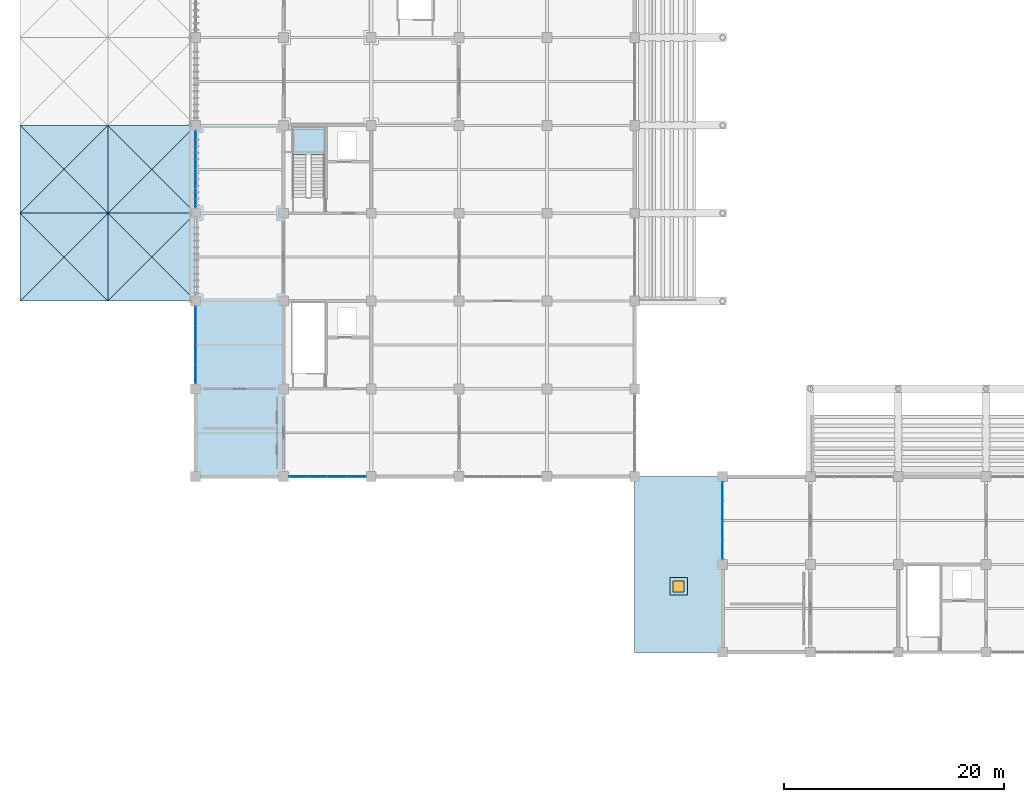
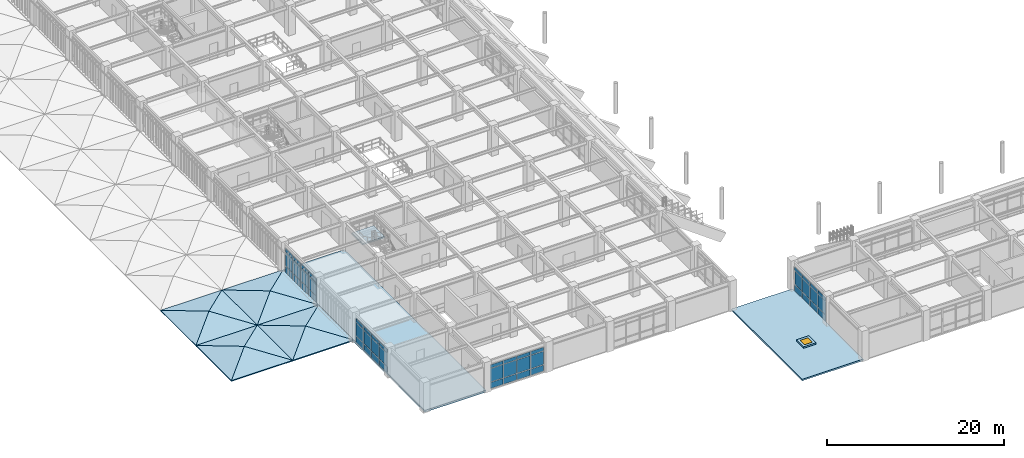
# One storey, part 64 of 118: 48 plates, 20 slabs, 1 door, 1 opening, 5 elements without a shape of their own.
"""IFC4 building model written with IfcOpenShell, lengths in metres."""

from ifc_helpers import new_model, si_unit, direction, frame, origin, origin_2d, place, context, subcontext, project, spatial, polyline, rectangle, outline, extrude, material, layer, layer_set, type_object, element, fill, aggregate, save


model = new_model("IFC4")

# Units and contexts
model_context = context("Model", 3, precision=1e-05, world=origin(), true_north=direction((0.0, 1.0)))
body_context = subcontext(model_context, "Body", "Model", "MODEL_VIEW")
ifc_project = project(units=[si_unit("LENGTHUNIT", "METRE"), si_unit("AREAUNIT", "SQUARE_METRE"), si_unit("VOLUMEUNIT", "CUBIC_METRE"), si_unit("PLANEANGLEUNIT", "RADIAN"), si_unit("MASSUNIT", "GRAM", prefix="KILO")], contexts=[model_context])

# Site, building, storey
site_placement = place(None, origin())
site = spatial("IfcSite", under=ifc_project, at=site_placement, CompositionType="ELEMENT")
building_placement = place(site_placement, origin())
building = spatial("IfcBuilding", under=site, at=building_placement, Name="Haebicheon Civic Stadium", CompositionType="ELEMENT")
storey_placement = place(building_placement, frame((0.0, 0.0, 14.39990234375)))
storey = spatial("IfcBuildingStorey", under=building, at=storey_placement, Name="L04", CompositionType="ELEMENT", Elevation=14.39990234375)

# Curtain wall, plates
ifc_material_1 = material(Name="Anodised aluminium and laminated glass", Category="aluminium")
ifc_layer_1 = layer(ifc_material_1, 0.179931640625, Name="Anodised aluminium and laminated glass")
ifc_layer_set_1 = layer_set([ifc_layer_1], Name="Anodised aluminium and laminated glass")
curtain_wall_type_1 = type_object("IfcCurtainWallType", Name="CW-7100x3330", PredefinedType="NOTDEFINED", material=ifc_layer_set_1)
curtain_wall_1_placement = place(storey_placement, origin())
curtain_wall_1 = element("IfcCurtainWall", 1, at=curtain_wall_1_placement, inside=storey, type_object=curtain_wall_type_1, material=ifc_layer_set_1, Name="L04 unitised curtain wall 105", PredefinedType="NOTDEFINED")
ifc_material_2 = material(Name="Double low-e acoustic laminated glass", Category="glass")
ifc_layer_2 = layer(ifc_material_2, 0.035888671875, Name="Double low-e acoustic laminated glass")
ifc_layer_set_2 = layer_set([ifc_layer_2], Name="Double low-e acoustic laminated glass")
plate_type_1 = type_object("IfcPlateType", Name="CWP-GLZ-36", PredefinedType="CURTAIN_PANEL", material=ifc_layer_set_2)
plate_1_placement = place(storey_placement, frame((24.0, 41.35498046875, 0.93505859375), z_axis=(0.0, 0.0, 1.0), x_axis=(0.0, 1.0, 0.0)))
plate_1 = element("IfcPlate", 2, at=plate_1_placement, type_object=plate_type_1, material=ifc_layer_set_2, Name="CW-L04-105 vision panel 1.2", PredefinedType="CURTAIN_PANEL", context=body_context, shape_type="SweptSolid", body=[
    extrude(rectangle(XDim=1.669921875, YDim=0.035888671875, at=origin_2d()), origin(), (0.0, 0.0, 1.0), 1.81005859375),
])
plate_2_placement = place(storey_placement, frame((24.0, 43.112060546875, 0.93505859375), z_axis=(0.0, 0.0, 1.0), x_axis=(0.0, 1.0, 0.0)))
plate_2 = element("IfcPlate", 3, at=plate_2_placement, type_object=plate_type_1, material=ifc_layer_set_2, Name="CW-L04-105 vision panel 2.2", PredefinedType="CURTAIN_PANEL", context=body_context, shape_type="SweptSolid", body=[
    extrude(rectangle(XDim=1.705078125, YDim=0.035888671875, at=origin_2d()), origin(), (0.0, 0.0, 1.0), 1.81005859375),
])
plate_3_placement = place(storey_placement, frame((24.0, 44.887939453125, 0.93505859375), z_axis=(0.0, 0.0, 1.0), x_axis=(0.0, 1.0, 0.0)))
plate_3 = element("IfcPlate", 4, at=plate_3_placement, type_object=plate_type_1, material=ifc_layer_set_2, Name="CW-L04-105 vision panel 3.2", PredefinedType="CURTAIN_PANEL", context=body_context, shape_type="SweptSolid", body=[
    extrude(rectangle(XDim=1.705078125, YDim=0.035888671875, at=origin_2d()), origin(), (0.0, 0.0, 1.0), 1.81005859375),
])
plate_4_placement = place(storey_placement, frame((24.0, 46.64501953125, 0.93505859375), z_axis=(0.0, 0.0, 1.0), x_axis=(0.0, 1.0, 0.0)))
plate_4 = element("IfcPlate", 5, at=plate_4_placement, type_object=plate_type_1, material=ifc_layer_set_2, Name="CW-L04-105 vision panel 4.2", PredefinedType="CURTAIN_PANEL", context=body_context, shape_type="SweptSolid", body=[
    extrude(rectangle(XDim=1.669921875, YDim=0.035888671875, at=origin_2d()), origin(), (0.0, 0.0, 1.0), 1.81005859375),
])

curtain_wall_2_placement = place(storey_placement, origin())
curtain_wall_2 = element("IfcCurtainWall", 6, at=curtain_wall_2_placement, inside=storey, type_object=curtain_wall_type_1, material=ifc_layer_set_1, Name="L04 unitised curtain wall 106", PredefinedType="NOTDEFINED")
plate_5_placement = place(storey_placement, frame((24.0, 57.35498046875, 0.93505859375), z_axis=(0.0, 0.0, 1.0), x_axis=(0.0, 1.0, 0.0)))
plate_5 = element("IfcPlate", 7, at=plate_5_placement, type_object=plate_type_1, material=ifc_layer_set_2, Name="CW-L04-106 vision panel 1.2", PredefinedType="CURTAIN_PANEL", context=body_context, shape_type="SweptSolid", body=[
    extrude(rectangle(XDim=1.669921875, YDim=0.035888671875, at=origin_2d()), origin(), (0.0, 0.0, 1.0), 1.81005859375),
])
plate_6_placement = place(storey_placement, frame((24.0, 59.112060546875, 0.93505859375), z_axis=(0.0, 0.0, 1.0), x_axis=(0.0, 1.0, 0.0)))
plate_6 = element("IfcPlate", 8, at=plate_6_placement, type_object=plate_type_1, material=ifc_layer_set_2, Name="CW-L04-106 vision panel 2.2", PredefinedType="CURTAIN_PANEL", context=body_context, shape_type="SweptSolid", body=[
    extrude(rectangle(XDim=1.705078125, YDim=0.035888671875, at=origin_2d()), origin(), (0.0, 0.0, 1.0), 1.81005859375),
])
plate_7_placement = place(storey_placement, frame((24.0, 60.887939453125, 0.93505859375), z_axis=(0.0, 0.0, 1.0), x_axis=(0.0, 1.0, 0.0)))
plate_7 = element("IfcPlate", 9, at=plate_7_placement, type_object=plate_type_1, material=ifc_layer_set_2, Name="CW-L04-106 vision panel 3.2", PredefinedType="CURTAIN_PANEL", context=body_context, shape_type="SweptSolid", body=[
    extrude(rectangle(XDim=1.705078125, YDim=0.035888671875, at=origin_2d()), origin(), (0.0, 0.0, 1.0), 1.81005859375),
])
plate_8_placement = place(storey_placement, frame((24.0, 62.64501953125, 0.93505859375), z_axis=(0.0, 0.0, 1.0), x_axis=(0.0, 1.0, 0.0)))
plate_8 = element("IfcPlate", 10, at=plate_8_placement, type_object=plate_type_1, material=ifc_layer_set_2, Name="CW-L04-106 vision panel 4.2", PredefinedType="CURTAIN_PANEL", context=body_context, shape_type="SweptSolid", body=[
    extrude(rectangle(XDim=1.669921875, YDim=0.035888671875, at=origin_2d()), origin(), (0.0, 0.0, 1.0), 1.81005859375),
])

ifc_material_3 = material(Name="Anodised aluminium and laminated glass", Category="aluminium")
ifc_layer_3 = layer(ifc_material_3, 0.179931640625, Name="Anodised aluminium and laminated glass")
ifc_layer_set_3 = layer_set([ifc_layer_3], Name="Anodised aluminium and laminated glass")
curtain_wall_type_2 = type_object("IfcCurtainWallType", Name="CW-7100x3350", PredefinedType="NOTDEFINED", material=ifc_layer_set_3)
curtain_wall_3_placement = place(storey_placement, origin())
curtain_wall_3 = element("IfcCurtainWall", 11, at=curtain_wall_3_placement, inside=storey, type_object=curtain_wall_type_2, material=ifc_layer_set_3, Name="L04 unitised curtain wall 113", PredefinedType="NOTDEFINED")
plate_9_placement = place(storey_placement, frame((33.35498046875, 32.0, 0.93505859375), z_axis=(0.0, 0.0, 1.0), x_axis=(1.0, 0.0, 0.0)))
plate_9 = element("IfcPlate", 12, at=plate_9_placement, type_object=plate_type_1, material=ifc_layer_set_2, Name="CW-L04-113 vision panel 1.2", PredefinedType="CURTAIN_PANEL", context=body_context, shape_type="SweptSolid", body=[
    extrude(rectangle(XDim=1.669921875, YDim=0.035888671875, at=origin_2d()), origin(), (0.0, 0.0, 1.0), 1.830078125),
])
plate_10_placement = place(storey_placement, frame((35.112060546875, 32.0, 0.93505859375), z_axis=(0.0, 0.0, 1.0), x_axis=(1.0, 0.0, 0.0)))
plate_10 = element("IfcPlate", 13, at=plate_10_placement, type_object=plate_type_1, material=ifc_layer_set_2, Name="CW-L04-113 vision panel 2.2", PredefinedType="CURTAIN_PANEL", context=body_context, shape_type="SweptSolid", body=[
    extrude(rectangle(XDim=1.705078125, YDim=0.035888671875, at=origin_2d()), origin(), (0.0, 0.0, 1.0), 1.830078125),
])
plate_11_placement = place(storey_placement, frame((36.887939453125, 32.0, 0.93505859375), z_axis=(0.0, 0.0, 1.0), x_axis=(1.0, 0.0, 0.0)))
plate_11 = element("IfcPlate", 14, at=plate_11_placement, type_object=plate_type_1, material=ifc_layer_set_2, Name="CW-L04-113 vision panel 3.2", PredefinedType="CURTAIN_PANEL", context=body_context, shape_type="SweptSolid", body=[
    extrude(rectangle(XDim=1.705078125, YDim=0.035888671875, at=origin_2d()), origin(), (0.0, 0.0, 1.0), 1.830078125),
])
plate_12_placement = place(storey_placement, frame((38.64501953125, 32.0, 0.93505859375), z_axis=(0.0, 0.0, 1.0), x_axis=(1.0, 0.0, 0.0)))
plate_12 = element("IfcPlate", 15, at=plate_12_placement, type_object=plate_type_1, material=ifc_layer_set_2, Name="CW-L04-113 vision panel 4.2", PredefinedType="CURTAIN_PANEL", context=body_context, shape_type="SweptSolid", body=[
    extrude(rectangle(XDim=1.669921875, YDim=0.035888671875, at=origin_2d()), origin(), (0.0, 0.0, 1.0), 1.830078125),
])

curtain_wall_4_placement = place(storey_placement, origin())
curtain_wall_4 = element("IfcCurtainWall", 16, at=curtain_wall_4_placement, inside=storey, type_object=curtain_wall_type_2, material=ifc_layer_set_3, Name="L04 unitised curtain wall 125", PredefinedType="NOTDEFINED")
plate_13_placement = place(storey_placement, frame((72.0, 25.35498046875, 0.93505859375), z_axis=(0.0, 0.0, 1.0), x_axis=(0.0, 1.0, 0.0)))
plate_13 = element("IfcPlate", 17, at=plate_13_placement, type_object=plate_type_1, material=ifc_layer_set_2, Name="CW-L04-125 vision panel 1.2", PredefinedType="CURTAIN_PANEL", context=body_context, shape_type="SweptSolid", body=[
    extrude(rectangle(XDim=1.669921875, YDim=0.035888671875, at=origin_2d()), origin(), (0.0, 0.0, 1.0), 1.830078125),
])
plate_14_placement = place(storey_placement, frame((72.0, 27.112060546875, 0.93505859375), z_axis=(0.0, 0.0, 1.0), x_axis=(0.0, 1.0, 0.0)))
plate_14 = element("IfcPlate", 18, at=plate_14_placement, type_object=plate_type_1, material=ifc_layer_set_2, Name="CW-L04-125 vision panel 2.2", PredefinedType="CURTAIN_PANEL", context=body_context, shape_type="SweptSolid", body=[
    extrude(rectangle(XDim=1.705078125, YDim=0.035888671875, at=origin_2d()), origin(), (0.0, 0.0, 1.0), 1.830078125),
])
plate_15_placement = place(storey_placement, frame((72.0, 28.887939453125, 0.93505859375), z_axis=(0.0, 0.0, 1.0), x_axis=(0.0, 1.0, 0.0)))
plate_15 = element("IfcPlate", 19, at=plate_15_placement, type_object=plate_type_1, material=ifc_layer_set_2, Name="CW-L04-125 vision panel 3.2", PredefinedType="CURTAIN_PANEL", context=body_context, shape_type="SweptSolid", body=[
    extrude(rectangle(XDim=1.705078125, YDim=0.035888671875, at=origin_2d()), origin(), (0.0, 0.0, 1.0), 1.830078125),
])
plate_16_placement = place(storey_placement, frame((72.0, 30.64501953125, 0.93505859375), z_axis=(0.0, 0.0, 1.0), x_axis=(0.0, 1.0, 0.0)))
plate_16 = element("IfcPlate", 20, at=plate_16_placement, type_object=plate_type_1, material=ifc_layer_set_2, Name="CW-L04-125 vision panel 4.2", PredefinedType="CURTAIN_PANEL", context=body_context, shape_type="SweptSolid", body=[
    extrude(rectangle(XDim=1.669921875, YDim=0.035888671875, at=origin_2d()), origin(), (0.0, 0.0, 1.0), 1.830078125),
])

# Plate
ifc_material_4 = material(Name="Anodised aluminium 6063-T6", Category="aluminium")
ifc_layer_4 = layer(ifc_material_4, 0.053955078125, Name="Anodised aluminium 6063-T6")
ifc_layer_set_4 = layer_set([ifc_layer_4], Name="Anodised aluminium 6063-T6")
plate_type_2 = type_object("IfcPlateType", Name="CWP-SPD-54", PredefinedType="CURTAIN_PANEL", material=ifc_layer_set_4)
plate_17_placement = place(storey_placement, frame((24.0, 41.35498046875, 0.03515625), z_axis=(0.0, 0.0, 1.0), x_axis=(0.0, 1.0, 0.0)))
plate_17 = element("IfcPlate", 21, at=plate_17_placement, type_object=plate_type_2, material=ifc_layer_set_4, Name="CW-L04-105 spandrel panel 1.1", PredefinedType="CURTAIN_PANEL", context=body_context, shape_type="SweptSolid", body=[
    extrude(rectangle(XDim=1.669921875, YDim=0.053955078125, at=origin_2d()), origin(), (0.0, 0.0, 1.0), 0.830078125),
])

plate_18_placement = place(storey_placement, frame((24.0, 41.35498046875, 2.815185546875), z_axis=(0.0, 0.0, 1.0), x_axis=(0.0, 1.0, 0.0)))
plate_18 = element("IfcPlate", 22, at=plate_18_placement, type_object=plate_type_2, material=ifc_layer_set_4, Name="CW-L04-105 spandrel panel 1.3", PredefinedType="CURTAIN_PANEL", context=body_context, shape_type="SweptSolid", body=[
    extrude(rectangle(XDim=1.669921875, YDim=0.053955078125, at=origin_2d()), origin(), (0.0, 0.0, 1.0), 0.47998046875),
])

plate_19_placement = place(storey_placement, frame((24.0, 43.112060546875, 0.03515625), z_axis=(0.0, 0.0, 1.0), x_axis=(0.0, 1.0, 0.0)))
plate_19 = element("IfcPlate", 23, at=plate_19_placement, type_object=plate_type_2, material=ifc_layer_set_4, Name="CW-L04-105 spandrel panel 2.1", PredefinedType="CURTAIN_PANEL", context=body_context, shape_type="SweptSolid", body=[
    extrude(rectangle(XDim=1.705078125, YDim=0.053955078125, at=origin_2d()), origin(), (0.0, 0.0, 1.0), 0.830078125),
])

plate_20_placement = place(storey_placement, frame((24.0, 43.112060546875, 2.815185546875), z_axis=(0.0, 0.0, 1.0), x_axis=(0.0, 1.0, 0.0)))
plate_20 = element("IfcPlate", 24, at=plate_20_placement, type_object=plate_type_2, material=ifc_layer_set_4, Name="CW-L04-105 spandrel panel 2.3", PredefinedType="CURTAIN_PANEL", context=body_context, shape_type="SweptSolid", body=[
    extrude(rectangle(XDim=1.705078125, YDim=0.053955078125, at=origin_2d()), origin(), (0.0, 0.0, 1.0), 0.47998046875),
])

plate_21_placement = place(storey_placement, frame((24.0, 44.887939453125, 0.03515625), z_axis=(0.0, 0.0, 1.0), x_axis=(0.0, 1.0, 0.0)))
plate_21 = element("IfcPlate", 25, at=plate_21_placement, type_object=plate_type_2, material=ifc_layer_set_4, Name="CW-L04-105 spandrel panel 3.1", PredefinedType="CURTAIN_PANEL", context=body_context, shape_type="SweptSolid", body=[
    extrude(rectangle(XDim=1.705078125, YDim=0.053955078125, at=origin_2d()), origin(), (0.0, 0.0, 1.0), 0.830078125),
])

plate_22_placement = place(storey_placement, frame((24.0, 44.887939453125, 2.815185546875), z_axis=(0.0, 0.0, 1.0), x_axis=(0.0, 1.0, 0.0)))
plate_22 = element("IfcPlate", 26, at=plate_22_placement, type_object=plate_type_2, material=ifc_layer_set_4, Name="CW-L04-105 spandrel panel 3.3", PredefinedType="CURTAIN_PANEL", context=body_context, shape_type="SweptSolid", body=[
    extrude(rectangle(XDim=1.705078125, YDim=0.053955078125, at=origin_2d()), origin(), (0.0, 0.0, 1.0), 0.47998046875),
])

plate_23_placement = place(storey_placement, frame((24.0, 46.64501953125, 0.03515625), z_axis=(0.0, 0.0, 1.0), x_axis=(0.0, 1.0, 0.0)))
plate_23 = element("IfcPlate", 27, at=plate_23_placement, type_object=plate_type_2, material=ifc_layer_set_4, Name="CW-L04-105 spandrel panel 4.1", PredefinedType="CURTAIN_PANEL", context=body_context, shape_type="SweptSolid", body=[
    extrude(rectangle(XDim=1.669921875, YDim=0.053955078125, at=origin_2d()), origin(), (0.0, 0.0, 1.0), 0.830078125),
])

plate_24_placement = place(storey_placement, frame((24.0, 46.64501953125, 2.815185546875), z_axis=(0.0, 0.0, 1.0), x_axis=(0.0, 1.0, 0.0)))
plate_24 = element("IfcPlate", 28, at=plate_24_placement, type_object=plate_type_2, material=ifc_layer_set_4, Name="CW-L04-105 spandrel panel 4.3", PredefinedType="CURTAIN_PANEL", context=body_context, shape_type="SweptSolid", body=[
    extrude(rectangle(XDim=1.669921875, YDim=0.053955078125, at=origin_2d()), origin(), (0.0, 0.0, 1.0), 0.47998046875),
])

aggregate(curtain_wall_1, [plate_17, plate_1, plate_18, plate_19, plate_2, plate_20, plate_21, plate_3, plate_22, plate_23, plate_4, plate_24])

plate_25_placement = place(storey_placement, frame((24.0, 57.35498046875, 0.03515625), z_axis=(0.0, 0.0, 1.0), x_axis=(0.0, 1.0, 0.0)))
plate_25 = element("IfcPlate", 29, at=plate_25_placement, type_object=plate_type_2, material=ifc_layer_set_4, Name="CW-L04-106 spandrel panel 1.1", PredefinedType="CURTAIN_PANEL", context=body_context, shape_type="SweptSolid", body=[
    extrude(rectangle(XDim=1.669921875, YDim=0.053955078125, at=origin_2d()), origin(), (0.0, 0.0, 1.0), 0.830078125),
])

plate_26_placement = place(storey_placement, frame((24.0, 57.35498046875, 2.815185546875), z_axis=(0.0, 0.0, 1.0), x_axis=(0.0, 1.0, 0.0)))
plate_26 = element("IfcPlate", 30, at=plate_26_placement, type_object=plate_type_2, material=ifc_layer_set_4, Name="CW-L04-106 spandrel panel 1.3", PredefinedType="CURTAIN_PANEL", context=body_context, shape_type="SweptSolid", body=[
    extrude(rectangle(XDim=1.669921875, YDim=0.053955078125, at=origin_2d()), origin(), (0.0, 0.0, 1.0), 0.47998046875),
])

plate_27_placement = place(storey_placement, frame((24.0, 59.112060546875, 0.03515625), z_axis=(0.0, 0.0, 1.0), x_axis=(0.0, 1.0, 0.0)))
plate_27 = element("IfcPlate", 31, at=plate_27_placement, type_object=plate_type_2, material=ifc_layer_set_4, Name="CW-L04-106 spandrel panel 2.1", PredefinedType="CURTAIN_PANEL", context=body_context, shape_type="SweptSolid", body=[
    extrude(rectangle(XDim=1.705078125, YDim=0.053955078125, at=origin_2d()), origin(), (0.0, 0.0, 1.0), 0.830078125),
])

plate_28_placement = place(storey_placement, frame((24.0, 59.112060546875, 2.815185546875), z_axis=(0.0, 0.0, 1.0), x_axis=(0.0, 1.0, 0.0)))
plate_28 = element("IfcPlate", 32, at=plate_28_placement, type_object=plate_type_2, material=ifc_layer_set_4, Name="CW-L04-106 spandrel panel 2.3", PredefinedType="CURTAIN_PANEL", context=body_context, shape_type="SweptSolid", body=[
    extrude(rectangle(XDim=1.705078125, YDim=0.053955078125, at=origin_2d()), origin(), (0.0, 0.0, 1.0), 0.47998046875),
])

plate_29_placement = place(storey_placement, frame((24.0, 60.887939453125, 0.03515625), z_axis=(0.0, 0.0, 1.0), x_axis=(0.0, 1.0, 0.0)))
plate_29 = element("IfcPlate", 33, at=plate_29_placement, type_object=plate_type_2, material=ifc_layer_set_4, Name="CW-L04-106 spandrel panel 3.1", PredefinedType="CURTAIN_PANEL", context=body_context, shape_type="SweptSolid", body=[
    extrude(rectangle(XDim=1.705078125, YDim=0.053955078125, at=origin_2d()), origin(), (0.0, 0.0, 1.0), 0.830078125),
])

plate_30_placement = place(storey_placement, frame((24.0, 60.887939453125, 2.815185546875), z_axis=(0.0, 0.0, 1.0), x_axis=(0.0, 1.0, 0.0)))
plate_30 = element("IfcPlate", 34, at=plate_30_placement, type_object=plate_type_2, material=ifc_layer_set_4, Name="CW-L04-106 spandrel panel 3.3", PredefinedType="CURTAIN_PANEL", context=body_context, shape_type="SweptSolid", body=[
    extrude(rectangle(XDim=1.705078125, YDim=0.053955078125, at=origin_2d()), origin(), (0.0, 0.0, 1.0), 0.47998046875),
])

plate_31_placement = place(storey_placement, frame((24.0, 62.64501953125, 0.03515625), z_axis=(0.0, 0.0, 1.0), x_axis=(0.0, 1.0, 0.0)))
plate_31 = element("IfcPlate", 35, at=plate_31_placement, type_object=plate_type_2, material=ifc_layer_set_4, Name="CW-L04-106 spandrel panel 4.1", PredefinedType="CURTAIN_PANEL", context=body_context, shape_type="SweptSolid", body=[
    extrude(rectangle(XDim=1.669921875, YDim=0.053955078125, at=origin_2d()), origin(), (0.0, 0.0, 1.0), 0.830078125),
])

plate_32_placement = place(storey_placement, frame((24.0, 62.64501953125, 2.815185546875), z_axis=(0.0, 0.0, 1.0), x_axis=(0.0, 1.0, 0.0)))
plate_32 = element("IfcPlate", 36, at=plate_32_placement, type_object=plate_type_2, material=ifc_layer_set_4, Name="CW-L04-106 spandrel panel 4.3", PredefinedType="CURTAIN_PANEL", context=body_context, shape_type="SweptSolid", body=[
    extrude(rectangle(XDim=1.669921875, YDim=0.053955078125, at=origin_2d()), origin(), (0.0, 0.0, 1.0), 0.47998046875),
])

aggregate(curtain_wall_2, [plate_25, plate_5, plate_26, plate_27, plate_6, plate_28, plate_29, plate_7, plate_30, plate_31, plate_8, plate_32])

plate_33_placement = place(storey_placement, frame((33.35498046875, 32.0, 0.03515625), z_axis=(0.0, 0.0, 1.0), x_axis=(1.0, 0.0, 0.0)))
plate_33 = element("IfcPlate", 37, at=plate_33_placement, type_object=plate_type_2, material=ifc_layer_set_4, Name="CW-L04-113 spandrel panel 1.1", PredefinedType="CURTAIN_PANEL", context=body_context, shape_type="SweptSolid", body=[
    extrude(rectangle(XDim=1.669921875, YDim=0.053955078125, at=origin_2d()), origin(), (0.0, 0.0, 1.0), 0.830078125),
])

plate_34_placement = place(storey_placement, frame((33.35498046875, 32.0, 2.835205078125), z_axis=(0.0, 0.0, 1.0), x_axis=(1.0, 0.0, 0.0)))
plate_34 = element("IfcPlate", 38, at=plate_34_placement, type_object=plate_type_2, material=ifc_layer_set_4, Name="CW-L04-113 spandrel panel 1.3", PredefinedType="CURTAIN_PANEL", context=body_context, shape_type="SweptSolid", body=[
    extrude(rectangle(XDim=1.669921875, YDim=0.053955078125, at=origin_2d()), origin(), (0.0, 0.0, 1.0), 0.47998046875),
])

plate_35_placement = place(storey_placement, frame((35.112060546875, 32.0, 0.03515625), z_axis=(0.0, 0.0, 1.0), x_axis=(1.0, 0.0, 0.0)))
plate_35 = element("IfcPlate", 39, at=plate_35_placement, type_object=plate_type_2, material=ifc_layer_set_4, Name="CW-L04-113 spandrel panel 2.1", PredefinedType="CURTAIN_PANEL", context=body_context, shape_type="SweptSolid", body=[
    extrude(rectangle(XDim=1.705078125, YDim=0.053955078125, at=origin_2d()), origin(), (0.0, 0.0, 1.0), 0.830078125),
])

plate_36_placement = place(storey_placement, frame((35.112060546875, 32.0, 2.835205078125), z_axis=(0.0, 0.0, 1.0), x_axis=(1.0, 0.0, 0.0)))
plate_36 = element("IfcPlate", 40, at=plate_36_placement, type_object=plate_type_2, material=ifc_layer_set_4, Name="CW-L04-113 spandrel panel 2.3", PredefinedType="CURTAIN_PANEL", context=body_context, shape_type="SweptSolid", body=[
    extrude(rectangle(XDim=1.705078125, YDim=0.053955078125, at=origin_2d()), origin(), (0.0, 0.0, 1.0), 0.47998046875),
])

plate_37_placement = place(storey_placement, frame((36.887939453125, 32.0, 0.03515625), z_axis=(0.0, 0.0, 1.0), x_axis=(1.0, 0.0, 0.0)))
plate_37 = element("IfcPlate", 41, at=plate_37_placement, type_object=plate_type_2, material=ifc_layer_set_4, Name="CW-L04-113 spandrel panel 3.1", PredefinedType="CURTAIN_PANEL", context=body_context, shape_type="SweptSolid", body=[
    extrude(rectangle(XDim=1.705078125, YDim=0.053955078125, at=origin_2d()), origin(), (0.0, 0.0, 1.0), 0.830078125),
])

plate_38_placement = place(storey_placement, frame((36.887939453125, 32.0, 2.835205078125), z_axis=(0.0, 0.0, 1.0), x_axis=(1.0, 0.0, 0.0)))
plate_38 = element("IfcPlate", 42, at=plate_38_placement, type_object=plate_type_2, material=ifc_layer_set_4, Name="CW-L04-113 spandrel panel 3.3", PredefinedType="CURTAIN_PANEL", context=body_context, shape_type="SweptSolid", body=[
    extrude(rectangle(XDim=1.705078125, YDim=0.053955078125, at=origin_2d()), origin(), (0.0, 0.0, 1.0), 0.47998046875),
])

plate_39_placement = place(storey_placement, frame((38.64501953125, 32.0, 0.03515625), z_axis=(0.0, 0.0, 1.0), x_axis=(1.0, 0.0, 0.0)))
plate_39 = element("IfcPlate", 43, at=plate_39_placement, type_object=plate_type_2, material=ifc_layer_set_4, Name="CW-L04-113 spandrel panel 4.1", PredefinedType="CURTAIN_PANEL", context=body_context, shape_type="SweptSolid", body=[
    extrude(rectangle(XDim=1.669921875, YDim=0.053955078125, at=origin_2d()), origin(), (0.0, 0.0, 1.0), 0.830078125),
])

plate_40_placement = place(storey_placement, frame((38.64501953125, 32.0, 2.835205078125), z_axis=(0.0, 0.0, 1.0), x_axis=(1.0, 0.0, 0.0)))
plate_40 = element("IfcPlate", 44, at=plate_40_placement, type_object=plate_type_2, material=ifc_layer_set_4, Name="CW-L04-113 spandrel panel 4.3", PredefinedType="CURTAIN_PANEL", context=body_context, shape_type="SweptSolid", body=[
    extrude(rectangle(XDim=1.669921875, YDim=0.053955078125, at=origin_2d()), origin(), (0.0, 0.0, 1.0), 0.47998046875),
])

aggregate(curtain_wall_3, [plate_33, plate_9, plate_34, plate_35, plate_10, plate_36, plate_37, plate_11, plate_38, plate_39, plate_12, plate_40])

plate_41_placement = place(storey_placement, frame((72.0, 25.35498046875, 0.03515625), z_axis=(0.0, 0.0, 1.0), x_axis=(0.0, 1.0, 0.0)))
plate_41 = element("IfcPlate", 45, at=plate_41_placement, type_object=plate_type_2, material=ifc_layer_set_4, Name="CW-L04-125 spandrel panel 1.1", PredefinedType="CURTAIN_PANEL", context=body_context, shape_type="SweptSolid", body=[
    extrude(rectangle(XDim=1.669921875, YDim=0.053955078125, at=origin_2d()), origin(), (0.0, 0.0, 1.0), 0.830078125),
])

plate_42_placement = place(storey_placement, frame((72.0, 25.35498046875, 2.835205078125), z_axis=(0.0, 0.0, 1.0), x_axis=(0.0, 1.0, 0.0)))
plate_42 = element("IfcPlate", 46, at=plate_42_placement, type_object=plate_type_2, material=ifc_layer_set_4, Name="CW-L04-125 spandrel panel 1.3", PredefinedType="CURTAIN_PANEL", context=body_context, shape_type="SweptSolid", body=[
    extrude(rectangle(XDim=1.669921875, YDim=0.053955078125, at=origin_2d()), origin(), (0.0, 0.0, 1.0), 0.47998046875),
])

plate_43_placement = place(storey_placement, frame((72.0, 27.112060546875, 0.03515625), z_axis=(0.0, 0.0, 1.0), x_axis=(0.0, 1.0, 0.0)))
plate_43 = element("IfcPlate", 47, at=plate_43_placement, type_object=plate_type_2, material=ifc_layer_set_4, Name="CW-L04-125 spandrel panel 2.1", PredefinedType="CURTAIN_PANEL", context=body_context, shape_type="SweptSolid", body=[
    extrude(rectangle(XDim=1.705078125, YDim=0.053955078125, at=origin_2d()), origin(), (0.0, 0.0, 1.0), 0.830078125),
])

plate_44_placement = place(storey_placement, frame((72.0, 27.112060546875, 2.835205078125), z_axis=(0.0, 0.0, 1.0), x_axis=(0.0, 1.0, 0.0)))
plate_44 = element("IfcPlate", 48, at=plate_44_placement, type_object=plate_type_2, material=ifc_layer_set_4, Name="CW-L04-125 spandrel panel 2.3", PredefinedType="CURTAIN_PANEL", context=body_context, shape_type="SweptSolid", body=[
    extrude(rectangle(XDim=1.705078125, YDim=0.053955078125, at=origin_2d()), origin(), (0.0, 0.0, 1.0), 0.47998046875),
])

plate_45_placement = place(storey_placement, frame((72.0, 28.887939453125, 0.03515625), z_axis=(0.0, 0.0, 1.0), x_axis=(0.0, 1.0, 0.0)))
plate_45 = element("IfcPlate", 49, at=plate_45_placement, type_object=plate_type_2, material=ifc_layer_set_4, Name="CW-L04-125 spandrel panel 3.1", PredefinedType="CURTAIN_PANEL", context=body_context, shape_type="SweptSolid", body=[
    extrude(rectangle(XDim=1.705078125, YDim=0.053955078125, at=origin_2d()), origin(), (0.0, 0.0, 1.0), 0.830078125),
])

plate_46_placement = place(storey_placement, frame((72.0, 28.887939453125, 2.835205078125), z_axis=(0.0, 0.0, 1.0), x_axis=(0.0, 1.0, 0.0)))
plate_46 = element("IfcPlate", 50, at=plate_46_placement, type_object=plate_type_2, material=ifc_layer_set_4, Name="CW-L04-125 spandrel panel 3.3", PredefinedType="CURTAIN_PANEL", context=body_context, shape_type="SweptSolid", body=[
    extrude(rectangle(XDim=1.705078125, YDim=0.053955078125, at=origin_2d()), origin(), (0.0, 0.0, 1.0), 0.47998046875),
])

plate_47_placement = place(storey_placement, frame((72.0, 30.64501953125, 0.03515625), z_axis=(0.0, 0.0, 1.0), x_axis=(0.0, 1.0, 0.0)))
plate_47 = element("IfcPlate", 51, at=plate_47_placement, type_object=plate_type_2, material=ifc_layer_set_4, Name="CW-L04-125 spandrel panel 4.1", PredefinedType="CURTAIN_PANEL", context=body_context, shape_type="SweptSolid", body=[
    extrude(rectangle(XDim=1.669921875, YDim=0.053955078125, at=origin_2d()), origin(), (0.0, 0.0, 1.0), 0.830078125),
])

plate_48_placement = place(storey_placement, frame((72.0, 30.64501953125, 2.835205078125), z_axis=(0.0, 0.0, 1.0), x_axis=(0.0, 1.0, 0.0)))
plate_48 = element("IfcPlate", 52, at=plate_48_placement, type_object=plate_type_2, material=ifc_layer_set_4, Name="CW-L04-125 spandrel panel 4.3", PredefinedType="CURTAIN_PANEL", context=body_context, shape_type="SweptSolid", body=[
    extrude(rectangle(XDim=1.669921875, YDim=0.053955078125, at=origin_2d()), origin(), (0.0, 0.0, 1.0), 0.47998046875),
])

aggregate(curtain_wall_4, [plate_41, plate_13, plate_42, plate_43, plate_14, plate_44, plate_45, plate_15, plate_46, plate_47, plate_16, plate_48])

# Slab, opening, door
ifc_material_5 = material(Name="Precast concrete C40/50", Category="concrete")
ifc_layer_5 = layer(ifc_material_5, 0.2099609375, Name="Precast concrete C40/50")
ifc_layer_set_5 = layer_set([ifc_layer_5], Name="Precast concrete C40/50")
slab_type_1 = type_object("IfcSlabType", Name="SLB-CRB-210", PredefinedType="ROOF", material=ifc_layer_set_5)
slab_1_placement = place(storey_placement, origin())
slab_1 = element("IfcSlab", 53, at=slab_1_placement, inside=storey, type_object=slab_type_1, material=ifc_layer_set_5, Name="Rooftop hatch upstand curb 03", PredefinedType="ROOF", context=body_context, shape_type="SweptSolid", body=[
    extrude(outline(polyline([(67.199951171875, 21.199951171875), (68.800048828125, 21.199951171875), (68.800048828125, 22.800048828125), (67.199951171875, 22.800048828125), (67.199951171875, 21.199951171875)]), holes=[polyline([(67.5, 21.5), (68.5, 21.5), (68.5, 22.5), (67.5, 22.5), (67.5, 21.5)])]), origin(), (0.0, 0.0, 1.0), 0.210205078125),
])
opening_placement = place(slab_1_placement, frame((68.0, 22.0, -0.010009765625)))
opening = element("IfcOpeningElement", 54, at=opening_placement, cuts=slab_1, Name="Opening HTCH-03", PredefinedType="OPENING", context=body_context, shape_type="SweptSolid", body=[
    extrude(rectangle(XDim=1.0, YDim=1.0, at=origin_2d()), origin(), (0.0, 0.0, 1.0), 0.230224609375),
])
ifc_material_6 = material(Name="Anodised aluminium 6063-T6", Category="aluminium")
door_type = type_object("IfcDoorType", Name="ED-HTCH-1000", OperationType="NOTDEFINED", PredefinedType="TRAPDOOR", material=ifc_material_6)
door_placement = place(slab_1_placement, frame((68.0, 22.0, 0.16015625)))
door = element("IfcDoor", 55, at=door_placement, inside=storey, type_object=door_type, material=ifc_material_6, Name="Roof maintenance access hatch HTCH-03", OperationType="SINGLE_SWING_LEFT", OverallHeight=1.0, OverallWidth=1.0, PredefinedType="TRAPDOOR", context=body_context, shape_type="SweptSolid", body=[
    extrude(rectangle(XDim=1.0, YDim=1.0, at=origin_2d()), origin(), (0.0, 0.0, 1.0), 0.050048828125),
])
fill(opening, door)

# Slab
ifc_material_7 = material(Name="Concrete C40/50", Category="concrete")
ifc_layer_6 = layer(ifc_material_7, 0.260009765625, Name="Concrete C40/50")
ifc_layer_set_6 = layer_set([ifc_layer_6], Name="Concrete C40/50")
slab_type_2 = type_object("IfcSlabType", Name="SLB-FLR-260", PredefinedType="FLOOR", material=ifc_layer_set_6)
slab_2_placement = place(storey_placement, frame((0.0, 0.0, -0.260009765625)))
element("IfcSlab", 56, at=slab_2_placement, inside=storey, type_object=slab_type_2, material=ifc_layer_set_6, Name="L04 V1 structural slab 1.1", PredefinedType="FLOOR", context=body_context, shape_type="SweptSolid", body=[
    extrude(outline(polyline([(24.0, 32.0), (24.0, 40.0), (24.0, 48.0), (24.0, 56.0), (24.0, 64.0), (32.0, 64.0), (32.0, 56.0), (32.0, 48.0), (32.0, 40.0), (32.0, 32.0), (24.0, 32.0)])), origin(), (0.0, 0.0, 1.0), 0.260009765625),
])

# Stair, slab
ifc_material_8 = material(Name="Concrete C40/50", Category="concrete")
stair_type = type_object("IfcStairType", Name="STR-DL-W128-H42", PredefinedType="HALF_TURN_STAIR", material=ifc_material_8)
stair_placement = place(storey_placement, origin())
stair = element("IfcStair", 57, at=stair_placement, inside=storey, type_object=stair_type, material=ifc_material_8, Name="L04 Escape stair ST-02", PredefinedType="HALF_TURN_STAIR")
ifc_material_9 = material(Name="Concrete C40/50", Category="concrete")
ifc_layer_7 = layer(ifc_material_9, 0.199951171875, Name="Concrete C40/50")
ifc_layer_set_7 = layer_set([ifc_layer_7], Name="Concrete C40/50")
slab_type_3 = type_object("IfcSlabType", Name="SLB-LND-200", PredefinedType="LANDING", material=ifc_layer_set_7)
slab_3_placement = place(storey_placement, frame((0.0, 0.0, 1.900146484375)))
slab_3 = element("IfcSlab", 58, at=slab_3_placement, type_object=slab_type_3, material=ifc_layer_set_7, Name="ST-02 landing 1", PredefinedType="LANDING", context=body_context, shape_type="SweptSolid", body=[
    extrude(outline(polyline([(35.739990234375, 61.35009765625), (35.739990234375, 63.840087890625), (32.840087890625, 63.840087890625), (32.840087890625, 61.35009765625), (35.739990234375, 61.35009765625)])), origin(), (0.0, 0.0, 1.0), 0.199951171875),
])
aggregate(stair, [slab_3])

# Slabs
ifc_material_10 = material(Name="Precast concrete C40/50", Category="concrete")
ifc_layer_8 = layer(ifc_material_10, 0.169921875, Name="Precast concrete C40/50")
ifc_layer_set_8 = layer_set([ifc_layer_8], Name="Precast concrete C40/50")
slab_type_4 = type_object("IfcSlabType", Name="SLB-ROOF-170", PredefinedType="ROOF", material=ifc_layer_set_8)
for number, where, z_axis, x_axis, name in (
    (59, (8.0, 48.0, 0.02001953125), (0.0, -0.219546201048, 0.975602104142), (1.0, 0.0, 0.0), "L04 V5 folded shell roof facet 1.S"),
    (60, (16.0, 48.0, 0.02001953125), (0.219546201048, 0.0, 0.975602104142), (0.0, 1.0, 0.0), "L04 V5 folded shell roof facet 1.E"),
    (61, (16.0, 56.0, 0.02001953125), (0.0, 0.219546201048, 0.975602104142), (-1.0, 0.0, 0.0), "L04 V5 folded shell roof facet 1.N"),
    (62, (8.0, 56.0, 0.02001953125), (-0.219546201048, 0.0, 0.975602104142), (0.0, -1.0, 0.0), "L04 V5 folded shell roof facet 1.W"),
    (63, (8.0, 56.0, 0.02001953125), (0.0, -0.219546201048, 0.975602104142), (1.0, 0.0, 0.0), "L04 V5 folded shell roof facet 2.S"),
    (64, (16.0, 56.0, 0.02001953125), (0.219546201048, 0.0, 0.975602104142), (0.0, 1.0, 0.0), "L04 V5 folded shell roof facet 2.E"),
    (65, (16.0, 64.0, 0.02001953125), (0.0, 0.219546201048, 0.975602104142), (-1.0, 0.0, 0.0), "L04 V5 folded shell roof facet 2.N"),
    (66, (8.0, 64.0, 0.02001953125), (-0.219546201048, 0.0, 0.975602104142), (0.0, -1.0, 0.0), "L04 V5 folded shell roof facet 2.W"),
    (67, (16.0, 48.0, 0.02001953125), (0.0, -0.219546201048, 0.975602104142), (1.0, 0.0, 0.0), "L04 V5 folded shell roof facet 12.S"),
    (68, (24.0, 48.0, 0.02001953125), (0.219546201048, 0.0, 0.975602104142), (0.0, 1.0, 0.0), "L04 V5 folded shell roof facet 12.E"),
    (69, (24.0, 56.0, 0.02001953125), (0.0, 0.219546201048, 0.975602104142), (-1.0, 0.0, 0.0), "L04 V5 folded shell roof facet 12.N"),
    (70, (16.0, 56.0, 0.02001953125), (-0.219546201048, 0.0, 0.975602104142), (0.0, -1.0, 0.0), "L04 V5 folded shell roof facet 12.W"),
    (71, (16.0, 56.0, 0.02001953125), (0.0, -0.219546201048, 0.975602104142), (1.0, 0.0, 0.0), "L04 V5 folded shell roof facet 13.S"),
    (72, (24.0, 56.0, 0.02001953125), (0.219546201048, 0.0, 0.975602104142), (0.0, 1.0, 0.0), "L04 V5 folded shell roof facet 13.E"),
    (73, (24.0, 64.0, 0.02001953125), (0.0, 0.219546201048, 0.975602104142), (-1.0, 0.0, 0.0), "L04 V5 folded shell roof facet 13.N"),
    (74, (16.0, 64.0, 0.02001953125), (-0.219546201048, 0.0, 0.975602104142), (0.0, -1.0, 0.0), "L04 V5 folded shell roof facet 13.W"),
):
    element("IfcSlab", number, at=place(storey_placement, frame(where, z_axis=z_axis, x_axis=x_axis)), inside=storey, type_object=slab_type_4, material=ifc_layer_set_8, Name=name, PredefinedType="ROOF", context=body_context, shape_type="SweptSolid", body=[
        extrude(outline(polyline([(0.0, 0.0), (8.0, 0.0), (4.0, 4.1000321575973855), (0.0, 0.0)])), origin(), (0.0, 0.0, -1.0), 0.169921875),
    ])
ifc_material_11 = material(Name="Concrete C40/50", Category="concrete")
ifc_layer_9 = layer(ifc_material_11, 0.219970703125, Name="Concrete C40/50")
ifc_layer_set_9 = layer_set([ifc_layer_9], Name="Concrete C40/50")
slab_type_5 = type_object("IfcSlabType", Name="SLB-ROOF-220", PredefinedType="ROOF", material=ifc_layer_set_9)
slab_4_placement = place(storey_placement, frame((0.0, 0.0, -0.219970703125)))
element("IfcSlab", 75, at=slab_4_placement, inside=storey, type_object=slab_type_5, material=ifc_layer_set_9, Name="L04 V2 roof deck slab 1", PredefinedType="ROOF", context=body_context, shape_type="SweptSolid", body=[
    extrude(outline(polyline([(72.0, 32.0), (72.0, 16.0), (64.0, 16.0), (64.0, 32.0), (72.0, 32.0)]), holes=[polyline([(67.5, 21.5), (68.5, 21.5), (68.5, 22.5), (67.5, 22.5), (67.5, 21.5)])]), origin(), (0.0, 0.0, 1.0), 0.219970703125),
])

save(model, "model.ifc")
